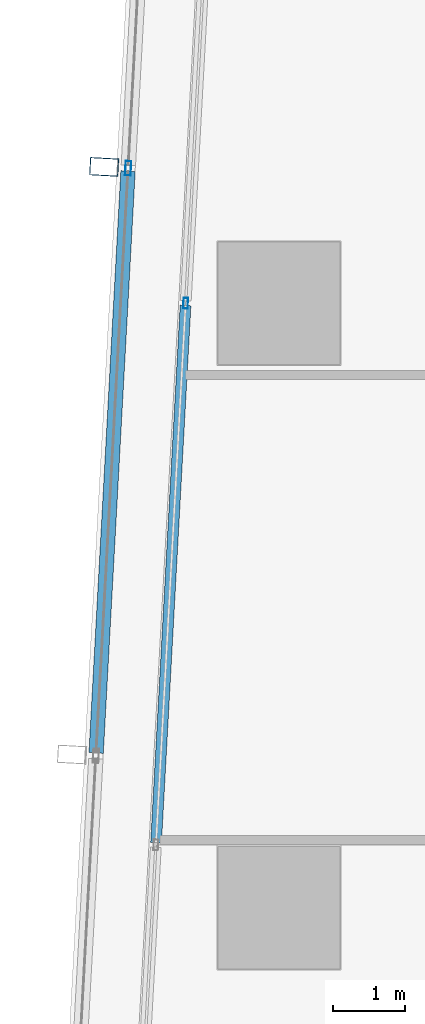
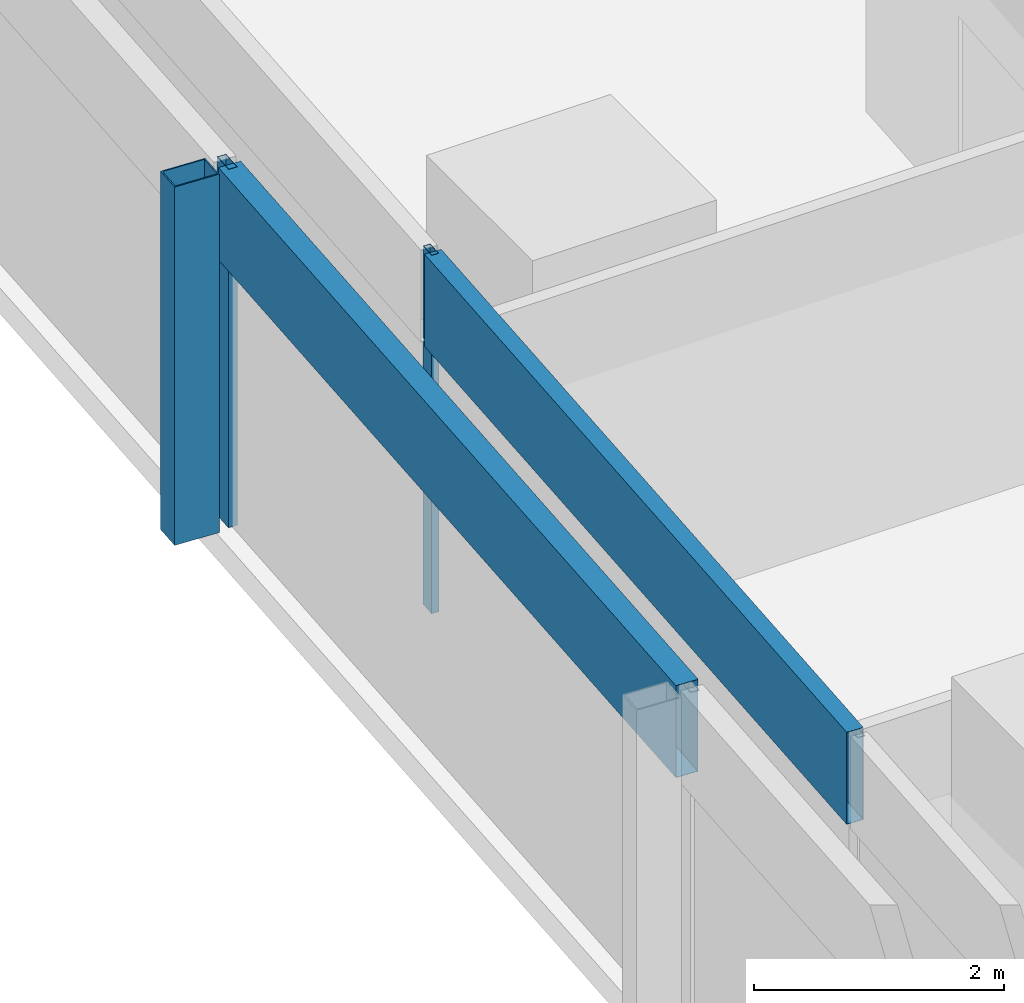
# One storey, part 14 of 40: 5 members, 2 elements without a shape of their own.
"""IFC4 building model written with IfcOpenShell, lengths in metres."""

from ifc_helpers import new_model, si_unit, direction, frame, origin, origin_2d, place, context, subcontext, project, spatial, hollow_rectangle, extrude, material, material_profile, profile_set, type_object, element, aggregate, save


model = new_model("IFC4")

# Units and contexts
model_context = context("Model", 3, precision=1e-05, world=origin(), true_north=direction((0.0, 1.0)))
body_context = subcontext(model_context, "Body", "Model", "MODEL_VIEW")
ifc_project = project(units=[si_unit("LENGTHUNIT", "METRE"), si_unit("AREAUNIT", "SQUARE_METRE"), si_unit("VOLUMEUNIT", "CUBIC_METRE"), si_unit("PLANEANGLEUNIT", "RADIAN"), si_unit("MASSUNIT", "GRAM", prefix="KILO")], contexts=[model_context])

# Site, building, storey
site_placement = place(None, origin())
site = spatial("IfcSite", under=ifc_project, at=site_placement, CompositionType="ELEMENT")
building_placement = place(site_placement, origin())
building = spatial("IfcBuilding", under=site, at=building_placement, Name="Rekha Terrace Tower", CompositionType="ELEMENT")
storey_placement = place(building_placement, frame((0.0, 0.0, 99.050048828125)))
storey = spatial("IfcBuildingStorey", under=building, at=storey_placement, Name="L24", CompositionType="ELEMENT", Elevation=99.050048828125)

# Curtain wall, member
ifc_material_1 = material(Name="Aluminium framing", Category="aluminium")
curtain_wall_type_1 = type_object("IfcCurtainWallType", Name="CW2 double skin outer glazing", PredefinedType="USERDEFINED", material=ifc_material_1)
curtain_wall_1_placement = place(storey_placement, origin())
curtain_wall_1 = element("IfcCurtainWall", 1, at=curtain_wall_1_placement, inside=storey, type_object=curtain_wall_type_1, Name="CW2 double skin outer glazing", ObjectType="DOUBLE SKIN OUTER GLAZING", PredefinedType="USERDEFINED")
ifc_material_2 = material(Name="Steel S355 with fluorocarbon finish", Category="steel")
ifc_material_profile_1 = material_profile(ifc_material_2, hollow_rectangle(XDim=0.25, YDim=0.39990234375, WallThickness=0.012451171875, at=origin_2d()), Name="RHS400x250x12.5")
ifc_profile_set_1 = profile_set([ifc_material_profile_1], Name="Steel S355 with fluorocarbon finish")
member_type_1 = type_object("IfcMemberType", Name="BL1 facade blade RHS 400 x 250", PredefinedType="USERDEFINED", material=ifc_profile_set_1)
member_1_placement = place(storey_placement, frame((5.969482421875, 52.29638671875, 0.0), z_axis=(0.0, 0.0, 1.0), x_axis=(-0.054742798353, -0.998500488747, 0.0)))
member_1 = element("IfcMember", 2, at=member_1_placement, type_object=member_type_1, Name="Facade blade", ObjectType="FACADE BLADE", PredefinedType="USERDEFINED", context=body_context, shape_type="SweptSolid", body=[
    extrude(hollow_rectangle(XDim=0.25, YDim=0.39990234375, WallThickness=0.012451171875, at=origin_2d()), origin(), (0.0, 0.0, 1.0), 3.5),
])

# Curtain wall, members
curtain_wall_type_2 = type_object("IfcCurtainWallType", Name="CW1 double skin inner glazing", PredefinedType="USERDEFINED", material=ifc_material_1)
curtain_wall_2_placement = place(storey_placement, origin())
curtain_wall_2 = element("IfcCurtainWall", 3, at=curtain_wall_2_placement, inside=storey, type_object=curtain_wall_type_2, Name="CW1 double skin inner glazing", ObjectType="DOUBLE SKIN INNER GLAZING", PredefinedType="USERDEFINED")
ifc_material_3 = material(Name="Aluminium mullion section", Category="aluminium")
ifc_material_profile_2 = material_profile(ifc_material_3, hollow_rectangle(XDim=0.06494140625, YDim=0.14990234375, WallThickness=0.00390625, at=origin_2d()), Name="AL RHS 65x150")
ifc_profile_set_2 = profile_set([ifc_material_profile_2], Name="Aluminium mullion section")
member_type_2 = type_object("IfcMemberType", Name="CW1 mullion RHS 65 x 150", PredefinedType="MULLION", material=ifc_profile_set_2)
member_2_placement = place(storey_placement, frame((7.1025390625, 50.40234375, 0.0), z_axis=(0.0, 0.0, 1.0), x_axis=(0.99850051318, -0.054742352707, 0.0)))
member_2 = element("IfcMember", 4, at=member_2_placement, type_object=member_type_2, Name="CW1 mullion 2", PredefinedType="MULLION", context=body_context, shape_type="SweptSolid", body=[
    extrude(hollow_rectangle(XDim=0.06494140625, YDim=0.14990234375, WallThickness=0.00390625, at=origin_2d()), origin(), (0.0, 0.0, 1.0), 3.5),
])
ifc_material_4 = material(Name="Insulated aluminium spandrel box", Category="aluminium")
ifc_material_profile_3 = material_profile(ifc_material_4, hollow_rectangle(XDim=0.14990234375, YDim=0.89990234375, WallThickness=0.0029296875, at=origin_2d()), Name="AL SPANDREL BOX 150x900")
ifc_profile_set_3 = profile_set([ifc_material_profile_3], Name="Insulated aluminium spandrel box")
member_type_3 = type_object("IfcMemberType", Name="CW1 spandrel transom 150 x 900", PredefinedType="USERDEFINED", material=ifc_profile_set_3)
member_3_placement = place(storey_placement, frame((7.100830078125, 50.369873046875, 3.050048828125), z_axis=(-0.054764629515, -0.998499291614, 0.0), x_axis=(0.998499291614, -0.054764629515, 0.0)))
member_3 = element("IfcMember", 5, at=member_3_placement, type_object=member_type_3, Name="CW1 spandrel transom 2", ObjectType="TRANSOM", PredefinedType="USERDEFINED", context=body_context, shape_type="SweptSolid", body=[
    extrude(hollow_rectangle(XDim=0.14990234375, YDim=0.89990234375, WallThickness=0.0029296875, at=origin_2d()), origin(), (0.0, 0.0, 1.0), 7.47607421875),
])
aggregate(curtain_wall_2, [member_2, member_3])

# Member
ifc_material_profile_4 = material_profile(ifc_material_3, hollow_rectangle(XDim=0.080078125, YDim=0.199951171875, WallThickness=0.00390625, at=origin_2d()), Name="AL RHS 80x200")
ifc_profile_set_4 = profile_set([ifc_material_profile_4], Name="Aluminium mullion section")
member_type_4 = type_object("IfcMemberType", Name="CW2 mullion RHS 80 x 200", PredefinedType="MULLION", material=ifc_profile_set_4)
member_4_placement = place(storey_placement, frame((6.303955078125, 52.278076171875, 0.0), z_axis=(0.0, 0.0, 1.0), x_axis=(0.99850051318, -0.054742352707, 0.0)))
member_4 = element("IfcMember", 6, at=member_4_placement, type_object=member_type_4, Name="CW2 mullion 2", PredefinedType="MULLION", context=body_context, shape_type="SweptSolid", body=[
    extrude(hollow_rectangle(XDim=0.080078125, YDim=0.199951171875, WallThickness=0.00390625, at=origin_2d()), origin(), (0.0, 0.0, 1.0), 3.5),
])

ifc_material_profile_5 = material_profile(ifc_material_4, hollow_rectangle(XDim=0.199951171875, YDim=0.89990234375, WallThickness=0.0029296875, at=origin_2d()), Name="AL SPANDREL BOX 200x900")
ifc_profile_set_5 = profile_set([ifc_material_profile_5], Name="Insulated aluminium spandrel box")
member_type_5 = type_object("IfcMemberType", Name="CW2 spandrel transom 200 x 900", PredefinedType="USERDEFINED", material=ifc_profile_set_5)
member_5_placement = place(storey_placement, frame((6.3017578125, 52.23828125, 3.050048828125), z_axis=(-0.054735499102, -0.998500888902, 0.0), x_axis=(0.998500888902, -0.054735499102, 0.0)))
member_5 = element("IfcMember", 7, at=member_5_placement, type_object=member_type_5, Name="CW2 spandrel transom 2", ObjectType="TRANSOM", PredefinedType="USERDEFINED", context=body_context, shape_type="SweptSolid", body=[
    extrude(hollow_rectangle(XDim=0.199951171875, YDim=0.89990234375, WallThickness=0.0029296875, at=origin_2d()), origin(), (0.0, 0.0, 1.0), 8.10009765625),
])

aggregate(curtain_wall_1, [member_4, member_5, member_1])

save(model, "model.ifc")
